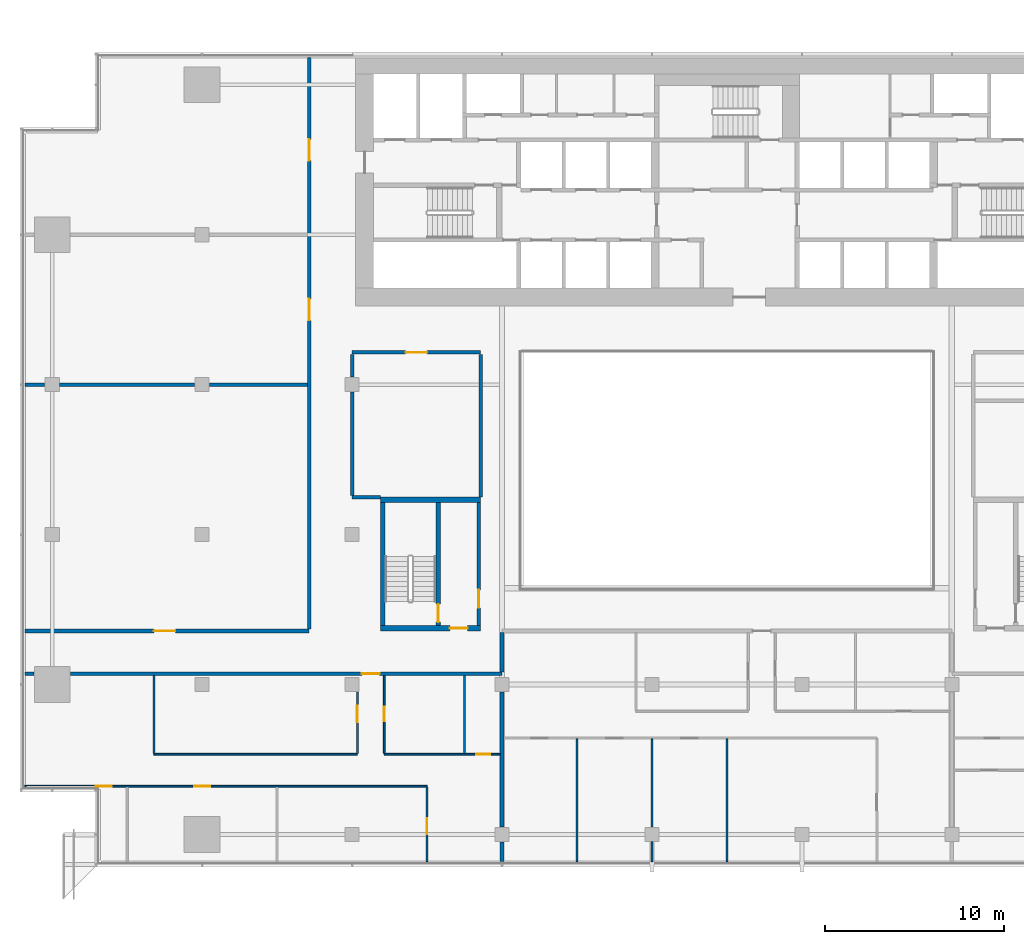
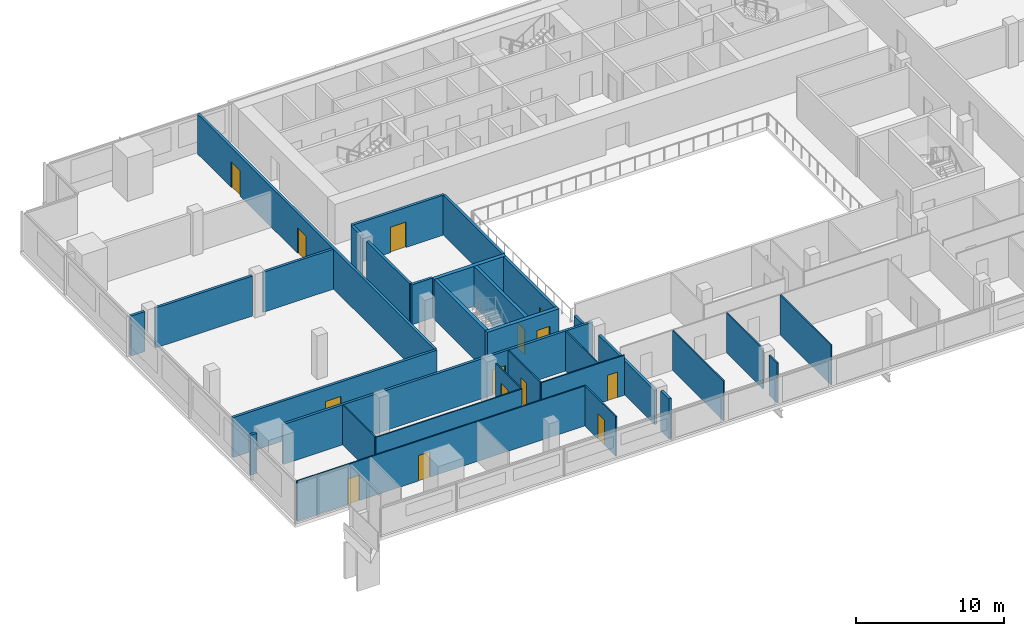
# One storey, part 17 of 26: 32 walls, 14 doors, 14 openings.
"""IFC4 building model written with IfcOpenShell, lengths in metres."""

from ifc_helpers import new_model, si_unit, direction, frame, frame_2d, origin, place, context, subcontext, project, spatial, rectangle, extrude, material, layer, layer_set, type_object, element, fill, save


model = new_model("IFC4")

# Units and contexts
model_context = context("Model", 3, precision=1e-05, world=origin(), true_north=direction((0.0, 1.0)))
body_context = subcontext(model_context, "Body", "Model", "MODEL_VIEW")
ifc_project = project(units=[si_unit("LENGTHUNIT", "METRE"), si_unit("AREAUNIT", "SQUARE_METRE"), si_unit("VOLUMEUNIT", "CUBIC_METRE"), si_unit("PLANEANGLEUNIT", "RADIAN"), si_unit("MASSUNIT", "GRAM", prefix="KILO")], contexts=[model_context])

# Site, building, storey
site_placement = place(None, origin())
site = spatial("IfcSite", under=ifc_project, at=site_placement, CompositionType="ELEMENT")
building_placement = place(site_placement, origin())
building = spatial("IfcBuilding", under=site, at=building_placement, Name="Saffron Gate Tower", CompositionType="ELEMENT")
storey_placement = place(building_placement, frame((0.0, 0.0, 138.449951171875)))
storey = spatial("IfcBuildingStorey", under=building, at=storey_placement, Name="L33", CompositionType="ELEMENT", Elevation=138.449951171875)

# Wall, opening, door
ifc_material_1 = material(Name="Gypsum board partition on steel studs", Category="steel")
ifc_layer_1 = layer(ifc_material_1, 0.199951171875)
ifc_layer_set_1 = layer_set([ifc_layer_1], Name="CW10 Core partition 200")
wall_type_1 = type_object("IfcWallType", Name="CW10 Core partition 200", PredefinedType="PARTITIONING", material=ifc_layer_set_1)
wall_1_placement = place(storey_placement, frame((73.699951171875, 43.5, 0.0), z_axis=(0.0, 0.0, 1.0), x_axis=(0.0, 1.0, 0.0)))
wall_1 = element("IfcWall", 1, at=wall_1_placement, inside=storey, type_object=wall_type_1, Name="Wall CW10-L33-D-4", PredefinedType="PARTITIONING", context=body_context, shape_type="SweptSolid", body=[
    extrude(rectangle(XDim=6.89990234375, YDim=0.199951171875, at=frame_2d((3.449951171875, 0.0))), origin(), (0.0, 0.0, 1.0), 3.300048828125),
])
opening_1_placement = place(wall_1_placement, frame((1.0, 0.0, 0.0)))
opening_1 = element("IfcOpeningElement", 2, at=opening_1_placement, cuts=wall_1, Name="Opening CR-19", PredefinedType="OPENING", context=body_context, shape_type="SweptSolid", body=[
    extrude(rectangle(XDim=1.0, YDim=2.10009765625, at=frame_2d((0.5, 1.050048828125))), frame((0.0, 0.10986328125, 0.0), z_axis=(0.0, -1.0, 0.0), x_axis=(1.0, 0.0, 0.0)), (0.0, 0.0, 1.0), 0.219970703125),
])
ifc_material_2 = material(Name="Steel fire door set", Category="steel")
door_type_1 = type_object("IfcDoorType", Name="CD4 Lobby door 1000x2100 EI 120", OperationType="NOTDEFINED", PredefinedType="DOOR", material=ifc_material_2)
door_1_placement = place(opening_1_placement, origin())
door_1 = element("IfcDoor", 3, at=door_1_placement, inside=storey, type_object=door_type_1, Name="DOOR CR-19", OperationType="SINGLE_SWING_RIGHT", OverallHeight=2.10009765625, OverallWidth=1.0, PredefinedType="DOOR", context=body_context, shape_type="SweptSolid", body=[
    extrude(rectangle(XDim=1.0, YDim=2.10009765625, at=frame_2d((0.5, 1.050048828125))), frame((0.0, 0.02490234375, 0.0), z_axis=(0.0, -1.0, 0.0), x_axis=(1.0, 0.0, 0.0)), (0.0, 0.0, 1.0), 0.050048828125),
])
fill(opening_1, door_1)

# Wall
ifc_material_3 = material(Name="Concrete C70", Category="concrete")
ifc_layer_2 = layer(ifc_material_3, 0.25)
ifc_layer_set_2 = layer_set([ifc_layer_2], Name="CW2 RC core wall 250 C70")
wall_type_2 = type_object("IfcWallType", Name="CW2 RC core wall 250 C70", PredefinedType="SOLIDWALL", material=ifc_layer_set_2)
wall_2_placement = place(storey_placement, frame((68.324951171875, 43.5, 0.0), z_axis=(0.0, 0.0, 1.0), x_axis=(0.0, 1.0, 0.0)))
element("IfcWall", 4, at=wall_2_placement, inside=storey, type_object=wall_type_2, Name="Wall CW2-L33-D-2", PredefinedType="SOLIDWALL", context=body_context, shape_type="SweptSolid", body=[
    extrude(rectangle(XDim=6.89990234375, YDim=0.25, at=frame_2d((3.449951171875, 0.0))), origin(), (0.0, 0.0, 1.0), 3.300048828125),
])

# Wall, opening, door
wall_3_placement = place(storey_placement, frame((71.425048828125, 43.5, 0.0), z_axis=(0.0, 0.0, 1.0), x_axis=(0.0, 1.0, 0.0)))
wall_3 = element("IfcWall", 5, at=wall_3_placement, inside=storey, type_object=wall_type_2, Name="Wall CW2-L33-D-3", PredefinedType="SOLIDWALL", context=body_context, shape_type="SweptSolid", body=[
    extrude(rectangle(XDim=6.89990234375, YDim=0.25, at=frame_2d((3.449951171875, 0.0))), origin(), (0.0, 0.0, 1.0), 3.300048828125),
])
opening_2_placement = place(wall_3_placement, frame((0.199951171875, 0.0, 0.0)))
opening_2 = element("IfcOpeningElement", 6, at=opening_2_placement, cuts=wall_3, Name="Opening CR-20", PredefinedType="OPENING", context=body_context, shape_type="SweptSolid", body=[
    extrude(rectangle(XDim=1.0, YDim=2.10009765625, at=frame_2d((0.5, 1.050048828125))), frame((0.0, 0.135009765625, 0.0), z_axis=(0.0, -1.0, 0.0), x_axis=(1.0, 0.0, 0.0)), (0.0, 0.0, 1.0), 0.27001953125),
])
door_type_2 = type_object("IfcDoorType", Name="CD5 Stair door 1000x2100 EI 120", OperationType="NOTDEFINED", PredefinedType="DOOR", material=ifc_material_2)
door_2_placement = place(opening_2_placement, origin())
door_2 = element("IfcDoor", 7, at=door_2_placement, inside=storey, type_object=door_type_2, Name="DOOR CR-20", OperationType="SINGLE_SWING_LEFT", OverallHeight=2.10009765625, OverallWidth=1.0, PredefinedType="DOOR", context=body_context, shape_type="SweptSolid", body=[
    extrude(rectangle(XDim=1.0, YDim=2.10009765625, at=frame_2d((0.5, 1.050048828125))), frame((0.0, 0.02490234375, 0.0), z_axis=(0.0, -1.0, 0.0), x_axis=(1.0, 0.0, 0.0)), (0.0, 0.0, 1.0), 0.050048828125),
])
fill(opening_2, door_2)

ifc_layer_3 = layer(ifc_material_3, 0.300048828125)
ifc_layer_set_3 = layer_set([ifc_layer_3], Name="CW5 RC core wall 300 C70")
wall_type_3 = type_object("IfcWallType", Name="CW5 RC core wall 300 C70", PredefinedType="SOLIDWALL", material=ifc_layer_set_3)
wall_4_placement = place(storey_placement, frame((68.199951171875, 43.35009765625, 0.0), z_axis=(0.0, 0.0, 1.0), x_axis=(1.0, 0.0, 0.0)))
wall_4 = element("IfcWall", 8, at=wall_4_placement, inside=storey, type_object=wall_type_3, Name="Wall CW5-L33-D-1", PredefinedType="SOLIDWALL", context=body_context, shape_type="SweptSolid", body=[
    extrude(rectangle(XDim=5.60009765625, YDim=0.300048828125, at=frame_2d((2.800048828125, 0.0))), origin(), (0.0, 0.0, 1.0), 3.300048828125),
])
opening_3_placement = place(wall_4_placement, frame((3.875, 0.0, 0.0)))
opening_3 = element("IfcOpeningElement", 9, at=opening_3_placement, cuts=wall_4, Name="Opening CR-18", PredefinedType="OPENING", context=body_context, shape_type="SweptSolid", body=[
    extrude(rectangle(XDim=1.0, YDim=2.10009765625, at=frame_2d((0.5, 1.050048828125))), frame((0.0, 0.16015625, 0.0), z_axis=(0.0, -1.0, 0.0), x_axis=(1.0, 0.0, 0.0)), (0.0, 0.0, 1.0), 0.320068359375),
])
door_3_placement = place(opening_3_placement, origin())
door_3 = element("IfcDoor", 10, at=door_3_placement, inside=storey, type_object=door_type_1, Name="DOOR CR-18", OperationType="SINGLE_SWING_RIGHT", OverallHeight=2.10009765625, OverallWidth=1.0, PredefinedType="DOOR", context=body_context, shape_type="SweptSolid", body=[
    extrude(rectangle(XDim=1.0, YDim=2.10009765625, at=frame_2d((0.5, 1.050048828125))), frame((0.0, 0.02490234375, 0.0), z_axis=(0.0, -1.0, 0.0), x_axis=(1.0, 0.0, 0.0)), (0.0, 0.0, 1.0), 0.050048828125),
])
fill(opening_3, door_3)

# Wall
wall_5_placement = place(storey_placement, frame((68.199951171875, 50.550048828125, 0.0), z_axis=(0.0, 0.0, 1.0), x_axis=(1.0, 0.0, 0.0)))
element("IfcWall", 11, at=wall_5_placement, inside=storey, type_object=wall_type_3, Name="Wall CW5-L33-D-5", PredefinedType="SOLIDWALL", context=body_context, shape_type="SweptSolid", body=[
    extrude(rectangle(XDim=5.60009765625, YDim=0.300048828125, at=frame_2d((2.800048828125, 0.0))), origin(), (0.0, 0.0, 1.0), 3.300048828125),
])

# Wall, openings, doors
ifc_material_4 = material(Name="Plasterboard on steel studs", Category="steel")
ifc_layer_4 = layer(ifc_material_4, 0.10009765625)
ifc_layer_set_4 = layer_set([ifc_layer_4], Name="PW1 Partition 100")
wall_type_4 = type_object("IfcWallType", Name="PW1 Partition 100", PredefinedType="PARTITIONING", material=ifc_layer_set_4)
wall_6_placement = place(storey_placement, frame((70.800048828125, 34.5, 0.0), z_axis=(0.0, 0.0, 1.0), x_axis=(-1.0, 0.0, 0.0)))
wall_6 = element("IfcWall", 12, at=wall_6_placement, inside=storey, type_object=wall_type_4, Name="Partition B5-1", PredefinedType="PARTITIONING", context=body_context, shape_type="SweptSolid", body=[
    extrude(rectangle(XDim=22.52001953125, YDim=0.10009765625, at=frame_2d((11.260009765625, 0.0))), origin(), (0.0, 0.0, 1.0), 3.300048828125),
])
opening_4_placement = place(wall_6_placement, frame((12.14990234375, 0.0, 0.0)))
opening_4 = element("IfcOpeningElement", 13, at=opening_4_placement, cuts=wall_6, Name="Opening B5-5", PredefinedType="OPENING", context=body_context, shape_type="SweptSolid", body=[
    extrude(rectangle(XDim=0.89990234375, YDim=2.10009765625, at=frame_2d((0.449951171875, 1.050048828125))), frame((0.0, 0.06005859375, 0.0), z_axis=(0.0, -1.0, 0.0), x_axis=(1.0, 0.0, 0.0)), (0.0, 0.0, 1.0), 0.1201171875),
])
opening_5_placement = place(wall_6_placement, frame((17.65380859375, 0.0, 0.0)))
opening_5 = element("IfcOpeningElement", 14, at=opening_5_placement, cuts=wall_6, Name="Opening B5-4", PredefinedType="OPENING", context=body_context, shape_type="SweptSolid", body=[
    extrude(rectangle(XDim=0.89990234375, YDim=2.10009765625, at=frame_2d((0.449951171875, 1.050048828125))), frame((0.0, 0.06005859375, 0.0), z_axis=(0.0, -1.0, 0.0), x_axis=(1.0, 0.0, 0.0)), (0.0, 0.0, 1.0), 0.1201171875),
])
ifc_material_5 = material(Name="Timber door set", Category="wood")
door_type_3 = type_object("IfcDoorType", Name="RD1 Room door 900x2100", OperationType="NOTDEFINED", PredefinedType="DOOR", material=ifc_material_5)
door_4_placement = place(opening_4_placement, origin())
door_4 = element("IfcDoor", 15, at=door_4_placement, inside=storey, type_object=door_type_3, Name="Door B5-5", OperationType="SINGLE_SWING_RIGHT", OverallHeight=2.10009765625, OverallWidth=0.89990234375, PredefinedType="DOOR", context=body_context, shape_type="SweptSolid", body=[
    extrude(rectangle(XDim=0.89990234375, YDim=2.10009765625, at=frame_2d((0.449951171875, 1.050048828125))), frame((0.0, 0.02490234375, 0.0), z_axis=(0.0, -1.0, 0.0), x_axis=(1.0, 0.0, 0.0)), (0.0, 0.0, 1.0), 0.050048828125),
])
fill(opening_4, door_4)
door_5_placement = place(opening_5_placement, origin())
door_5 = element("IfcDoor", 16, at=door_5_placement, inside=storey, type_object=door_type_3, Name="Door B5-4", OperationType="SINGLE_SWING_LEFT", OverallHeight=2.10009765625, OverallWidth=0.89990234375, PredefinedType="DOOR", context=body_context, shape_type="SweptSolid", body=[
    extrude(rectangle(XDim=0.89990234375, YDim=2.10009765625, at=frame_2d((0.449951171875, 1.050048828125))), frame((0.0, 0.02490234375, 0.0), z_axis=(0.0, -1.0, 0.0), x_axis=(1.0, 0.0, 0.0)), (0.0, 0.0, 1.0), 0.050048828125),
])
fill(opening_5, door_5)

# Wall
wall_7_placement = place(storey_placement, frame((55.5, 36.300048828125, 0.0), z_axis=(0.0, 0.0, 1.0), x_axis=(1.0, 0.0, 0.0)))
element("IfcWall", 17, at=wall_7_placement, inside=storey, type_object=wall_type_4, Name="Partition B5-4", PredefinedType="PARTITIONING", context=body_context, shape_type="SweptSolid", body=[
    extrude(rectangle(XDim=11.39990234375, YDim=0.10009765625, at=frame_2d((5.699951171875, 0.0))), origin(), (0.0, 0.0, 1.0), 3.300048828125),
])

# Wall, opening, door
wall_8_placement = place(storey_placement, frame((68.39990234375, 36.300048828125, 0.0), z_axis=(0.0, 0.0, 1.0), x_axis=(1.0, 0.0, 0.0)))
wall_8 = element("IfcWall", 18, at=wall_8_placement, inside=storey, type_object=wall_type_4, Name="Partition B5-5", PredefinedType="PARTITIONING", context=body_context, shape_type="SweptSolid", body=[
    extrude(rectangle(XDim=6.5, YDim=0.10009765625, at=frame_2d((3.25, 0.0))), origin(), (0.0, 0.0, 1.0), 3.300048828125),
])
opening_6_placement = place(wall_8_placement, frame((5.14990234375, 0.0, 0.0)))
opening_6 = element("IfcOpeningElement", 19, at=opening_6_placement, cuts=wall_8, Name="Opening B5-20", PredefinedType="OPENING", context=body_context, shape_type="SweptSolid", body=[
    extrude(rectangle(XDim=0.800048828125, YDim=2.10009765625, at=frame_2d((0.39990234375, 1.050048828125))), frame((0.0, 0.06005859375, 0.0), z_axis=(0.0, -1.0, 0.0), x_axis=(1.0, 0.0, 0.0)), (0.0, 0.0, 1.0), 0.1201171875),
])
door_type_4 = type_object("IfcDoorType", Name="RD2 Bathroom door 800x2100", OperationType="NOTDEFINED", PredefinedType="DOOR", material=ifc_material_5)
door_6_placement = place(opening_6_placement, origin())
door_6 = element("IfcDoor", 20, at=door_6_placement, inside=storey, type_object=door_type_4, Name="Door B5-20", OperationType="SINGLE_SWING_RIGHT", OverallHeight=2.10009765625, OverallWidth=0.800048828125, PredefinedType="DOOR", context=body_context, shape_type="SweptSolid", body=[
    extrude(rectangle(XDim=0.800048828125, YDim=2.10009765625, at=frame_2d((0.39990234375, 1.050048828125))), frame((0.0, 0.02490234375, 0.0), z_axis=(0.0, -1.0, 0.0), x_axis=(1.0, 0.0, 0.0)), (0.0, 0.0, 1.0), 0.050048828125),
])
fill(opening_6, door_6)

# Wall
wall_9_placement = place(storey_placement, frame((55.5, 40.699951171875, 0.0), z_axis=(0.0, 0.0, 1.0), x_axis=(0.0, -1.0, 0.0)))
element("IfcWall", 21, at=wall_9_placement, inside=storey, type_object=wall_type_4, Name="Partition B5-36", PredefinedType="PARTITIONING", context=body_context, shape_type="SweptSolid", body=[
    extrude(rectangle(XDim=4.349853515625, YDim=0.10009765625, at=frame_2d((2.1748046875, 0.0))), origin(), (0.0, 0.0, 1.0), 3.300048828125),
])

# Wall, opening, door
wall_10_placement = place(storey_placement, frame((66.89990234375, 36.35009765625, 0.0), z_axis=(0.0, 0.0, 1.0), x_axis=(0.0, 1.0, 0.0)))
wall_10 = element("IfcWall", 22, at=wall_10_placement, inside=storey, type_object=wall_type_4, Name="Partition B5-41", PredefinedType="PARTITIONING", context=body_context, shape_type="SweptSolid", body=[
    extrude(rectangle(XDim=3.429931640625, YDim=0.10009765625, at=frame_2d((1.71484375, 0.0))), origin(), (0.0, 0.0, 1.0), 3.300048828125),
])
opening_7_placement = place(wall_10_placement, frame((1.75, 0.0, 0.0)))
opening_7 = element("IfcOpeningElement", 23, at=opening_7_placement, cuts=wall_10, Name="Opening B5-7", PredefinedType="OPENING", context=body_context, shape_type="SweptSolid", body=[
    extrude(rectangle(XDim=0.89990234375, YDim=2.10009765625, at=frame_2d((0.449951171875, 1.050048828125))), frame((0.0, 0.06005859375, 0.0), z_axis=(0.0, -1.0, 0.0), x_axis=(1.0, 0.0, 0.0)), (0.0, 0.0, 1.0), 0.1201171875),
])
door_7_placement = place(opening_7_placement, origin())
door_7 = element("IfcDoor", 24, at=door_7_placement, inside=storey, type_object=door_type_3, Name="Door B5-7", OperationType="SINGLE_SWING_RIGHT", OverallHeight=2.10009765625, OverallWidth=0.89990234375, PredefinedType="DOOR", context=body_context, shape_type="SweptSolid", body=[
    extrude(rectangle(XDim=0.89990234375, YDim=2.10009765625, at=frame_2d((0.449951171875, 1.050048828125))), frame((0.0, 0.02490234375, 0.0), z_axis=(0.0, -1.0, 0.0), x_axis=(1.0, 0.0, 0.0)), (0.0, 0.0, 1.0), 0.050048828125),
])
fill(opening_7, door_7)

wall_11_placement = place(storey_placement, frame((68.39990234375, 40.699951171875, 0.0), z_axis=(0.0, 0.0, 1.0), x_axis=(0.0, -1.0, 0.0)))
wall_11 = element("IfcWall", 25, at=wall_11_placement, inside=storey, type_object=wall_type_4, Name="Partition B5-42", PredefinedType="PARTITIONING", context=body_context, shape_type="SweptSolid", body=[
    extrude(rectangle(XDim=4.349853515625, YDim=0.10009765625, at=frame_2d((2.1748046875, 0.0))), origin(), (0.0, 0.0, 1.0), 3.300048828125),
])
opening_8_placement = place(wall_11_placement, frame((1.75, 0.0, 0.0)))
opening_8 = element("IfcOpeningElement", 26, at=opening_8_placement, cuts=wall_11, Name="Opening B5-19", PredefinedType="OPENING", context=body_context, shape_type="SweptSolid", body=[
    extrude(rectangle(XDim=0.800048828125, YDim=2.10009765625, at=frame_2d((0.39990234375, 1.050048828125))), frame((0.0, 0.06005859375, 0.0), z_axis=(0.0, -1.0, 0.0), x_axis=(1.0, 0.0, 0.0)), (0.0, 0.0, 1.0), 0.1201171875),
])
door_8_placement = place(opening_8_placement, origin())
door_8 = element("IfcDoor", 27, at=door_8_placement, inside=storey, type_object=door_type_4, Name="Door B5-19", OperationType="SINGLE_SWING_LEFT", OverallHeight=2.10009765625, OverallWidth=0.800048828125, PredefinedType="DOOR", context=body_context, shape_type="SweptSolid", body=[
    extrude(rectangle(XDim=0.800048828125, YDim=2.10009765625, at=frame_2d((0.39990234375, 1.050048828125))), frame((0.0, 0.02490234375, 0.0), z_axis=(0.0, -1.0, 0.0), x_axis=(1.0, 0.0, 0.0)), (0.0, 0.0, 1.0), 0.050048828125),
])
fill(opening_8, door_8)

wall_12_placement = place(storey_placement, frame((70.800048828125, 30.280029296875, 0.0), z_axis=(0.0, 0.0, 1.0), x_axis=(0.0, 1.0, 0.0)))
wall_12 = element("IfcWall", 28, at=wall_12_placement, inside=storey, type_object=wall_type_4, Name="Partition B5-43", PredefinedType="PARTITIONING", context=body_context, shape_type="SweptSolid", body=[
    extrude(rectangle(XDim=4.169921875, YDim=0.10009765625, at=frame_2d((2.0849609375, 0.0))), origin(), (0.0, 0.0, 1.0), 3.300048828125),
])
opening_9_placement = place(wall_12_placement, frame((1.52001953125, 0.0, 0.0)))
opening_9 = element("IfcOpeningElement", 29, at=opening_9_placement, cuts=wall_12, Name="Opening B5-6", PredefinedType="OPENING", context=body_context, shape_type="SweptSolid", body=[
    extrude(rectangle(XDim=0.89990234375, YDim=2.10009765625, at=frame_2d((0.449951171875, 1.050048828125))), frame((0.0, 0.06005859375, 0.0), z_axis=(0.0, -1.0, 0.0), x_axis=(1.0, 0.0, 0.0)), (0.0, 0.0, 1.0), 0.1201171875),
])
door_9_placement = place(opening_9_placement, origin())
door_9 = element("IfcDoor", 30, at=door_9_placement, inside=storey, type_object=door_type_3, Name="Door B5-6", OperationType="SINGLE_SWING_LEFT", OverallHeight=2.10009765625, OverallWidth=0.89990234375, PredefinedType="DOOR", context=body_context, shape_type="SweptSolid", body=[
    extrude(rectangle(XDim=0.89990234375, YDim=2.10009765625, at=frame_2d((0.449951171875, 1.050048828125))), frame((0.0, 0.02490234375, 0.0), z_axis=(0.0, -1.0, 0.0), x_axis=(1.0, 0.0, 0.0)), (0.0, 0.0, 1.0), 0.050048828125),
])
fill(opening_9, door_9)

# Walls
wall_13_placement = place(storey_placement, frame((72.89990234375, 40.699951171875, 0.0), z_axis=(0.0, 0.0, 1.0), x_axis=(0.0, -1.0, 0.0)))
element("IfcWall", 31, at=wall_13_placement, inside=storey, type_object=wall_type_4, Name="Partition B5-44", PredefinedType="PARTITIONING", context=body_context, shape_type="SweptSolid", body=[
    extrude(rectangle(XDim=4.349853515625, YDim=0.10009765625, at=frame_2d((2.1748046875, 0.0))), origin(), (0.0, 0.0, 1.0), 3.300048828125),
])
wall_14_placement = place(storey_placement, frame((79.199951171875, 37.14990234375, 0.0), z_axis=(0.0, 0.0, 1.0), x_axis=(0.0, -1.0, 0.0)))
element("IfcWall", 32, at=wall_14_placement, inside=storey, type_object=wall_type_4, Name="Partition B5-49", PredefinedType="PARTITIONING", context=body_context, shape_type="SweptSolid", body=[
    extrude(rectangle(XDim=6.869873046875, YDim=0.10009765625, at=frame_2d((3.43505859375, 0.0))), origin(), (0.0, 0.0, 1.0), 3.300048828125),
])
wall_15_placement = place(storey_placement, frame((83.39990234375, 31.3798828125, 0.0), z_axis=(0.0, 0.0, 1.0), x_axis=(0.0, -1.0, 0.0)))
element("IfcWall", 33, at=wall_15_placement, inside=storey, type_object=wall_type_4, Name="Partition B5-51", PredefinedType="PARTITIONING", context=body_context, shape_type="SweptSolid", body=[
    extrude(rectangle(XDim=1.099853515625, YDim=0.10009765625, at=frame_2d((0.5498046875, 0.0))), origin(), (0.0, 0.0, 1.0), 3.300048828125),
])
wall_16_placement = place(storey_placement, frame((83.39990234375, 37.14990234375, 0.0), z_axis=(0.0, 0.0, 1.0), x_axis=(0.0, -1.0, 0.0)))
element("IfcWall", 34, at=wall_16_placement, inside=storey, type_object=wall_type_4, Name="Partition B5-52", PredefinedType="PARTITIONING", context=body_context, shape_type="SweptSolid", body=[
    extrude(rectangle(XDim=4.929931640625, YDim=0.10009765625, at=frame_2d((2.46484375, 0.0))), origin(), (0.0, 0.0, 1.0), 3.300048828125),
])
wall_17_placement = place(storey_placement, frame((87.60009765625, 37.14990234375, 0.0), z_axis=(0.0, 0.0, 1.0), x_axis=(0.0, -1.0, 0.0)))
element("IfcWall", 35, at=wall_17_placement, inside=storey, type_object=wall_type_4, Name="Partition B5-53", PredefinedType="PARTITIONING", context=body_context, shape_type="SweptSolid", body=[
    extrude(rectangle(XDim=6.869873046875, YDim=0.10009765625, at=frame_2d((3.43505859375, 0.0))), origin(), (0.0, 0.0, 1.0), 3.300048828125),
])
ifc_material_6 = material(Name="Clay brick masonry, rendered", Category="masonry")
ifc_layer_5 = layer(ifc_material_6, 0.199951171875)
ifc_layer_set_5 = layer_set([ifc_layer_5], Name="PW2 Demising wall 200")
wall_type_5 = type_object("IfcWallType", Name="PW2 Demising wall 200", PredefinedType="PARTITIONING", material=ifc_layer_set_5)
wall_18_placement = place(storey_placement, frame((75.0, 31.3798828125, 0.0), z_axis=(0.0, 0.0, 1.0), x_axis=(0.0, -1.0, 0.0)))
element("IfcWall", 36, at=wall_18_placement, inside=storey, type_object=wall_type_5, Name="Wall B5-47", PredefinedType="PARTITIONING", context=body_context, shape_type="SweptSolid", body=[
    extrude(rectangle(XDim=1.099853515625, YDim=0.199951171875, at=frame_2d((0.5498046875, 0.0))), origin(), (0.0, 0.0, 1.0), 3.300048828125),
])
wall_19_placement = place(storey_placement, frame((75.0, 39.780029296875, 0.0), z_axis=(0.0, 0.0, 1.0), x_axis=(0.0, -1.0, 0.0)))
element("IfcWall", 37, at=wall_19_placement, inside=storey, type_object=wall_type_5, Name="Wall B5-48", PredefinedType="PARTITIONING", context=body_context, shape_type="SweptSolid", body=[
    extrude(rectangle(XDim=7.56005859375, YDim=0.199951171875, at=frame_2d((3.780029296875, 0.0))), origin(), (0.0, 0.0, 1.0), 2.81005859375),
])
ifc_layer_6 = layer(ifc_material_6, 0.199951171875)
ifc_layer_set_6 = layer_set([ifc_layer_6], Name="PW3 Corridor wall 200")
wall_type_6 = type_object("IfcWallType", Name="PW3 Corridor wall 200", PredefinedType="PARTITIONING", material=ifc_layer_set_6)
wall_20_placement = place(storey_placement, frame((48.280029296875, 40.800048828125, 0.0), z_axis=(0.0, 0.0, 1.0), x_axis=(1.0, 0.0, 0.0)))
element("IfcWall", 38, at=wall_20_placement, inside=storey, type_object=wall_type_6, Name="Wall B5-11", PredefinedType="PARTITIONING", context=body_context, shape_type="SweptSolid", body=[
    extrude(rectangle(XDim=0.5, YDim=0.199951171875, at=frame_2d((0.25, 0.0))), origin(), (0.0, 0.0, 1.0), 3.300048828125),
])

# Wall, opening, door
wall_21_placement = place(storey_placement, frame((75.0, 40.800048828125, 0.0), z_axis=(0.0, 0.0, 1.0), x_axis=(-1.0, 0.0, 0.0)))
wall_21 = element("IfcWall", 39, at=wall_21_placement, inside=storey, type_object=wall_type_6, Name="Wall B5-12", PredefinedType="PARTITIONING", context=body_context, shape_type="SweptSolid", body=[
    extrude(rectangle(XDim=24.179931640625, YDim=0.199951171875, at=frame_2d((12.08984375, 0.0))), origin(), (0.0, 0.0, 1.0), 3.300048828125),
])
opening_10_placement = place(wall_21_placement, frame((6.85009765625, 0.0, 0.0)))
opening_10 = element("IfcOpeningElement", 40, at=opening_10_placement, cuts=wall_21, Name="Opening B5-1", PredefinedType="OPENING", context=body_context, shape_type="SweptSolid", body=[
    extrude(rectangle(XDim=1.0, YDim=2.10009765625, at=frame_2d((0.5, 1.050048828125))), frame((0.0, 0.10986328125, 0.0), z_axis=(0.0, -1.0, 0.0), x_axis=(1.0, 0.0, 0.0)), (0.0, 0.0, 1.0), 0.219970703125),
])
ifc_material_7 = material(Name="Timber fire door set", Category="wood")
door_type_5 = type_object("IfcDoorType", Name="FD1 Flat entry door 1000x2100", OperationType="NOTDEFINED", PredefinedType="DOOR", material=ifc_material_7)
door_10_placement = place(opening_10_placement, origin())
door_10 = element("IfcDoor", 41, at=door_10_placement, inside=storey, type_object=door_type_5, Name="Door B5-1", OperationType="SINGLE_SWING_LEFT", OverallHeight=2.10009765625, OverallWidth=1.0, PredefinedType="DOOR", context=body_context, shape_type="SweptSolid", body=[
    extrude(rectangle(XDim=1.0, YDim=2.10009765625, at=frame_2d((0.5, 1.050048828125))), frame((0.0, 0.02490234375, 0.0), z_axis=(0.0, -1.0, 0.0), x_axis=(1.0, 0.0, 0.0)), (0.0, 0.0, 1.0), 0.050048828125),
])
fill(opening_10, door_10)

wall_22_placement = place(storey_placement, frame((48.280029296875, 43.199951171875, 0.0), z_axis=(0.0, 0.0, 1.0), x_axis=(1.0, 0.0, 0.0)))
wall_22 = element("IfcWall", 42, at=wall_22_placement, inside=storey, type_object=wall_type_6, Name="Wall B5-15", PredefinedType="PARTITIONING", context=body_context, shape_type="SweptSolid", body=[
    extrude(rectangle(XDim=15.919921875, YDim=0.199951171875, at=frame_2d((7.9599609375, 0.0))), origin(), (0.0, 0.0, 1.0), 3.300048828125),
])
opening_11_placement = place(wall_22_placement, frame((7.219970703125, 0.0, 0.0)))
opening_11 = element("IfcOpeningElement", 43, at=opening_11_placement, cuts=wall_22, Name="Opening B5-29", PredefinedType="OPENING", context=body_context, shape_type="SweptSolid", body=[
    extrude(rectangle(XDim=1.199951171875, YDim=2.10009765625, at=frame_2d((0.60009765625, 1.050048828125))), frame((0.0, 0.10986328125, 0.0), z_axis=(0.0, -1.0, 0.0), x_axis=(1.0, 0.0, 0.0)), (0.0, 0.0, 1.0), 0.219970703125),
])
door_type_6 = type_object("IfcDoorType", Name="HD1 Hall door 1200x2100", OperationType="NOTDEFINED", PredefinedType="DOOR", material=ifc_material_5)
door_11_placement = place(opening_11_placement, origin())
door_11 = element("IfcDoor", 44, at=door_11_placement, inside=storey, type_object=door_type_6, Name="Door B5-29", OperationType="SINGLE_SWING_LEFT", OverallHeight=2.10009765625, OverallWidth=1.199951171875, PredefinedType="DOOR", context=body_context, shape_type="SweptSolid", body=[
    extrude(rectangle(XDim=1.199951171875, YDim=2.10009765625, at=frame_2d((0.60009765625, 1.050048828125))), frame((0.0, 0.02490234375, 0.0), z_axis=(0.0, -1.0, 0.0), x_axis=(1.0, 0.0, 0.0)), (0.0, 0.0, 1.0), 0.050048828125),
])
fill(opening_11, door_11)

# Wall
wall_23_placement = place(storey_placement, frame((66.60009765625, 50.699951171875, 0.0), z_axis=(0.0, 0.0, 1.0), x_axis=(1.0, 0.0, 0.0)))
element("IfcWall", 45, at=wall_23_placement, inside=storey, type_object=wall_type_6, Name="Wall B5-18", PredefinedType="PARTITIONING", context=body_context, shape_type="SweptSolid", body=[
    extrude(rectangle(XDim=1.599853515625, YDim=0.199951171875, at=frame_2d((0.7998046875, 0.0))), origin(), (0.0, 0.0, 1.0), 3.300048828125),
])

# Wall, opening, door
wall_24_placement = place(storey_placement, frame((73.800048828125, 58.800048828125, 0.0), z_axis=(0.0, 0.0, 1.0), x_axis=(-1.0, 0.0, 0.0)))
wall_24 = element("IfcWall", 46, at=wall_24_placement, inside=storey, type_object=wall_type_6, Name="Wall B5-27", PredefinedType="PARTITIONING", context=body_context, shape_type="SweptSolid", body=[
    extrude(rectangle(XDim=7.199951171875, YDim=0.199951171875, at=frame_2d((3.60009765625, 0.0))), origin(), (0.0, 0.0, 1.0), 3.300048828125),
])
opening_12_placement = place(wall_24_placement, frame((3.0, 0.0, 0.0)))
opening_12 = element("IfcOpeningElement", 47, at=opening_12_placement, cuts=wall_24, Name="Opening B5-32", PredefinedType="OPENING", context=body_context, shape_type="SweptSolid", body=[
    extrude(rectangle(XDim=1.199951171875, YDim=2.10009765625, at=frame_2d((0.60009765625, 1.050048828125))), frame((0.0, 0.10986328125, 0.0), z_axis=(0.0, -1.0, 0.0), x_axis=(1.0, 0.0, 0.0)), (0.0, 0.0, 1.0), 0.219970703125),
])
door_12_placement = place(opening_12_placement, origin())
door_12 = element("IfcDoor", 48, at=door_12_placement, inside=storey, type_object=door_type_6, Name="Door B5-32", OperationType="SINGLE_SWING_LEFT", OverallHeight=2.10009765625, OverallWidth=1.199951171875, PredefinedType="DOOR", context=body_context, shape_type="SweptSolid", body=[
    extrude(rectangle(XDim=1.199951171875, YDim=2.10009765625, at=frame_2d((0.60009765625, 1.050048828125))), frame((0.0, 0.02490234375, 0.0), z_axis=(0.0, -1.0, 0.0), x_axis=(1.0, 0.0, 0.0)), (0.0, 0.0, 1.0), 0.050048828125),
])
fill(opening_12, door_12)

# Wall, openings, doors
wall_25_placement = place(storey_placement, frame((64.199951171875, 43.300048828125, 0.0), z_axis=(0.0, 0.0, 1.0), x_axis=(0.0, 1.0, 0.0)))
wall_25 = element("IfcWall", 49, at=wall_25_placement, inside=storey, type_object=wall_type_6, Name="Wall B5-38", PredefinedType="PARTITIONING", context=body_context, shape_type="SweptSolid", body=[
    extrude(rectangle(XDim=32.02001953125, YDim=0.199951171875, at=frame_2d((16.010009765625, 0.0))), origin(), (0.0, 0.0, 1.0), 3.300048828125),
])
opening_13_placement = place(wall_25_placement, frame((17.300048828125, 0.0, 0.0)))
opening_13 = element("IfcOpeningElement", 50, at=opening_13_placement, cuts=wall_25, Name="Opening B5-30", PredefinedType="OPENING", context=body_context, shape_type="SweptSolid", body=[
    extrude(rectangle(XDim=1.199951171875, YDim=2.10009765625, at=frame_2d((0.60009765625, 1.050048828125))), frame((0.0, 0.10986328125, 0.0), z_axis=(0.0, -1.0, 0.0), x_axis=(1.0, 0.0, 0.0)), (0.0, 0.0, 1.0), 0.219970703125),
])
opening_14_placement = place(wall_25_placement, frame((26.241455078125, 0.0, 0.0)))
opening_14 = element("IfcOpeningElement", 51, at=opening_14_placement, cuts=wall_25, Name="Opening B5-31", PredefinedType="OPENING", context=body_context, shape_type="SweptSolid", body=[
    extrude(rectangle(XDim=1.199951171875, YDim=2.10009765625, at=frame_2d((0.60009765625, 1.050048828125))), frame((0.0, 0.10986328125, 0.0), z_axis=(0.0, -1.0, 0.0), x_axis=(1.0, 0.0, 0.0)), (0.0, 0.0, 1.0), 0.219970703125),
])
door_13_placement = place(opening_13_placement, origin())
door_13 = element("IfcDoor", 52, at=door_13_placement, inside=storey, type_object=door_type_6, Name="Door B5-30", OperationType="SINGLE_SWING_RIGHT", OverallHeight=2.10009765625, OverallWidth=1.199951171875, PredefinedType="DOOR", context=body_context, shape_type="SweptSolid", body=[
    extrude(rectangle(XDim=1.199951171875, YDim=2.10009765625, at=frame_2d((0.60009765625, 1.050048828125))), frame((0.0, 0.02490234375, 0.0), z_axis=(0.0, -1.0, 0.0), x_axis=(1.0, 0.0, 0.0)), (0.0, 0.0, 1.0), 0.050048828125),
])
fill(opening_13, door_13)
door_14_placement = place(opening_14_placement, origin())
door_14 = element("IfcDoor", 53, at=door_14_placement, inside=storey, type_object=door_type_6, Name="Door B5-31", OperationType="SINGLE_SWING_LEFT", OverallHeight=2.10009765625, OverallWidth=1.199951171875, PredefinedType="DOOR", context=body_context, shape_type="SweptSolid", body=[
    extrude(rectangle(XDim=1.199951171875, YDim=2.10009765625, at=frame_2d((0.60009765625, 1.050048828125))), frame((0.0, 0.02490234375, 0.0), z_axis=(0.0, -1.0, 0.0), x_axis=(1.0, 0.0, 0.0)), (0.0, 0.0, 1.0), 0.050048828125),
])
fill(opening_14, door_14)

# Walls
wall_26_placement = place(storey_placement, frame((66.60009765625, 56.580078125, 0.0), z_axis=(0.0, 0.0, 1.0), x_axis=(0.0, -1.0, 0.0)))
element("IfcWall", 54, at=wall_26_placement, inside=storey, type_object=wall_type_6, Name="Wall B5-39", PredefinedType="PARTITIONING", context=body_context, shape_type="SweptSolid", body=[
    extrude(rectangle(XDim=5.780029296875, YDim=0.199951171875, at=frame_2d((2.89013671875, 0.0))), origin(), (0.0, 0.0, 1.0), 3.300048828125),
])
wall_27_placement = place(storey_placement, frame((66.60009765625, 58.699951171875, 0.0), z_axis=(0.0, 0.0, 1.0), x_axis=(0.0, -1.0, 0.0)))
element("IfcWall", 55, at=wall_27_placement, inside=storey, type_object=wall_type_6, Name="Wall B5-40", PredefinedType="PARTITIONING", context=body_context, shape_type="SweptSolid", body=[
    extrude(rectangle(XDim=1.280029296875, YDim=0.199951171875, at=frame_2d((0.64013671875, 0.0))), origin(), (0.0, 0.0, 1.0), 3.300048828125),
])
wall_28_placement = place(storey_placement, frame((73.800048828125, 58.699951171875, 0.0), z_axis=(0.0, 0.0, 1.0), x_axis=(0.0, -1.0, 0.0)))
element("IfcWall", 56, at=wall_28_placement, inside=storey, type_object=wall_type_6, Name="Wall B5-45", PredefinedType="PARTITIONING", context=body_context, shape_type="SweptSolid", body=[
    extrude(rectangle(XDim=8.0, YDim=0.199951171875, at=frame_2d((4.0, 0.0))), origin(), (0.0, 0.0, 1.0), 3.300048828125),
])
wall_29_placement = place(storey_placement, frame((75.0, 43.10009765625, 0.0), z_axis=(0.0, 0.0, 1.0), x_axis=(0.0, -1.0, 0.0)))
element("IfcWall", 57, at=wall_29_placement, inside=storey, type_object=wall_type_6, Name="Wall B5-46", PredefinedType="PARTITIONING", context=body_context, shape_type="SweptSolid", body=[
    extrude(rectangle(XDim=2.2001953125, YDim=0.199951171875, at=frame_2d((1.10009765625, 0.0))), origin(), (0.0, 0.0, 1.0), 2.41015625),
])
ifc_layer_7 = layer(ifc_material_6, 0.199951171875)
ifc_layer_set_7 = layer_set([ifc_layer_7], Name="PW5 Room wall 200")
wall_type_7 = type_object("IfcWallType", Name="PW5 Room wall 200", PredefinedType="PARTITIONING", material=ifc_layer_set_7)
wall_30_placement = place(storey_placement, frame((48.280029296875, 57.0, 0.0), z_axis=(0.0, 0.0, 1.0), x_axis=(1.0, 0.0, 0.0)))
element("IfcWall", 58, at=wall_30_placement, inside=storey, type_object=wall_type_7, Name="Wall B5-21", PredefinedType="PARTITIONING", context=body_context, shape_type="SweptSolid", body=[
    extrude(rectangle(XDim=1.099853515625, YDim=0.199951171875, at=frame_2d((0.5498046875, 0.0))), origin(), (0.0, 0.0, 1.0), 3.300048828125),
])
wall_31_placement = place(storey_placement, frame((50.219970703125, 57.0, 0.0), z_axis=(0.0, 0.0, 1.0), x_axis=(1.0, 0.0, 0.0)))
element("IfcWall", 59, at=wall_31_placement, inside=storey, type_object=wall_type_7, Name="Wall B5-22", PredefinedType="PARTITIONING", context=body_context, shape_type="SweptSolid", body=[
    extrude(rectangle(XDim=7.56005859375, YDim=0.199951171875, at=frame_2d((3.780029296875, 0.0))), origin(), (0.0, 0.0, 1.0), 3.300048828125),
])
wall_32_placement = place(storey_placement, frame((58.6201171875, 57.0, 0.0), z_axis=(0.0, 0.0, 1.0), x_axis=(1.0, 0.0, 0.0)))
element("IfcWall", 60, at=wall_32_placement, inside=storey, type_object=wall_type_7, Name="Wall B5-23", PredefinedType="PARTITIONING", context=body_context, shape_type="SweptSolid", body=[
    extrude(rectangle(XDim=5.47998046875, YDim=0.199951171875, at=frame_2d((2.739990234375, 0.0))), origin(), (0.0, 0.0, 1.0), 3.300048828125),
])

save(model, "model.ifc")
